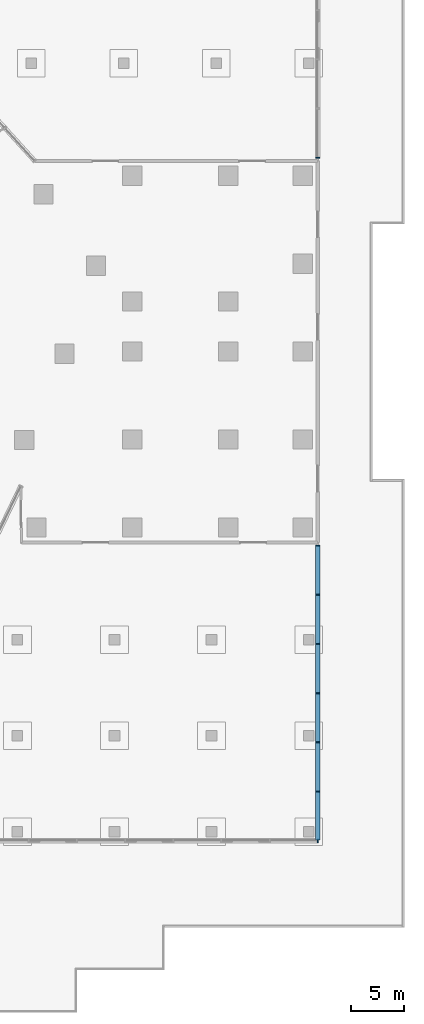
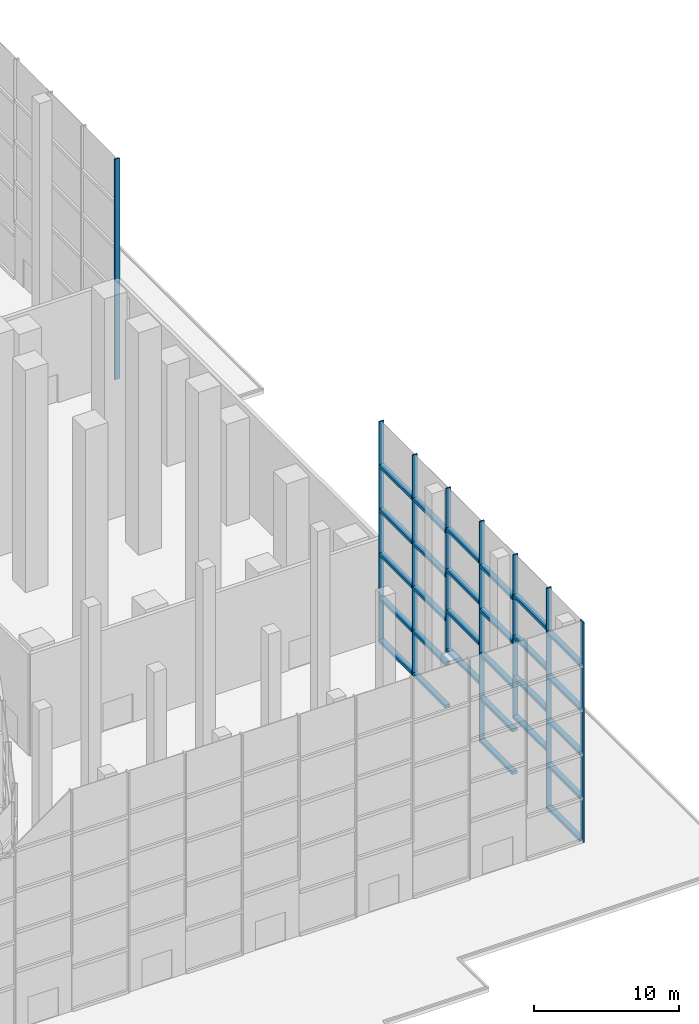
# One storey, part 19 of 40: 36 members, 7 elements without a shape of their own.
"""IFC4 building model written with IfcOpenShell, lengths in metres."""

from ifc_helpers import new_model, si_unit, direction, frame, origin, origin_2d, place, context, subcontext, project, spatial, rectangle, extrude, material, layer, layer_set, material_profile, profile_set, type_object, element, aggregate, save


model = new_model("IFC4")

# Units and contexts
model_context = context("Model", 3, precision=1e-05, world=origin(), true_north=direction((0.0, 1.0)))
body_context = subcontext(model_context, "Body", "Model", "MODEL_VIEW")
ifc_project = project(units=[si_unit("LENGTHUNIT", "METRE"), si_unit("AREAUNIT", "SQUARE_METRE"), si_unit("VOLUMEUNIT", "CUBIC_METRE"), si_unit("PLANEANGLEUNIT", "RADIAN"), si_unit("MASSUNIT", "GRAM", prefix="KILO")], contexts=[model_context])

# Site, building, storey
site_placement = place(None, origin())
site = spatial("IfcSite", under=ifc_project, at=site_placement, CompositionType="ELEMENT")
building_placement = place(site_placement, origin())
building = spatial("IfcBuilding", under=site, at=building_placement, Name="Dongbaek Canopy Tower", CompositionType="ELEMENT")
storey_placement = place(building_placement, origin())
storey = spatial("IfcBuildingStorey", under=building, at=storey_placement, Name="L00", CompositionType="ELEMENT", Elevation=0.0)

# Curtain wall, member
ifc_material_1 = material(Name="Aluminium 6063-T6 pale anodised", Category="aluminium")
ifc_layer = layer(ifc_material_1, 0.39990234375)
ifc_layer_set = layer_set([ifc_layer], Name="CW-3 lobby double-height curtain wall")
curtain_wall_type = type_object("IfcCurtainWallType", Name="CW-3 lobby double-height curtain wall", PredefinedType="NOTDEFINED", material=ifc_layer_set)
curtain_wall_1_placement = place(storey_placement, origin())
curtain_wall_1 = element("IfcCurtainWall", 1, at=curtain_wall_1_placement, inside=storey, type_object=curtain_wall_type, Name="CW-3 curtain wall HNE.1", PredefinedType="NOTDEFINED")
ifc_material_2 = material(Name="Aluminium 6063-T6 pale anodised", Category="aluminium")
ifc_material_profile_1 = material_profile(ifc_material_2, rectangle(XDim=0.39990234375, YDim=0.10009765625, at=origin_2d()), Name="CW-3 mullion 100 x 400")
ifc_profile_set_1 = profile_set([ifc_material_profile_1], Name="Aluminium 6063-T6 pale anodised")
member_type_1 = type_object("IfcMemberType", Name="CW-3 mullion 100 x 400", PredefinedType="MULLION", material=ifc_profile_set_1)
member_1_placement = place(storey_placement, frame((57.89990234375, 18.199951171875, 0.0), z_axis=(0.0, 0.0, 1.0), x_axis=(1.0, 0.0, 0.0)))
member_1 = element("IfcMember", 2, at=member_1_placement, type_object=member_type_1, Name="CW-3 mullion HNE.1.1", PredefinedType="MULLION", context=body_context, shape_type="SweptSolid", body=[
    extrude(rectangle(XDim=0.39990234375, YDim=0.10009765625, at=origin_2d()), origin(), (0.0, 0.0, 1.0), 18.550048828125),
])
aggregate(curtain_wall_1, [member_1])

curtain_wall_2_placement = place(storey_placement, origin())
curtain_wall_2 = element("IfcCurtainWall", 3, at=curtain_wall_2_placement, inside=storey, type_object=curtain_wall_type, Name="CW-3 curtain wall HSS.6", PredefinedType="NOTDEFINED")
member_2_placement = place(storey_placement, frame((57.89990234375, -45.89990234375, 0.0), z_axis=(0.0, 0.0, 1.0), x_axis=(0.0, -1.0, 0.0)))
member_2 = element("IfcMember", 4, at=member_2_placement, type_object=member_type_1, Name="CW-3 mullion HSS.6.2", PredefinedType="MULLION", context=body_context, shape_type="SweptSolid", body=[
    extrude(rectangle(XDim=0.39990234375, YDim=0.10009765625, at=origin_2d()), origin(), (0.0, 0.0, 1.0), 18.550048828125),
])
aggregate(curtain_wall_2, [member_2])

curtain_wall_3_placement = place(storey_placement, origin())
curtain_wall_3 = element("IfcCurtainWall", 5, at=curtain_wall_3_placement, inside=storey, type_object=curtain_wall_type, Name="CW-3 curtain wall HSE.1", PredefinedType="NOTDEFINED")
member_3_placement = place(storey_placement, frame((57.89990234375, -41.283447265625, 0.0), z_axis=(0.0, 0.0, 1.0), x_axis=(1.0, 0.0, 0.0)))
member_3 = element("IfcMember", 6, at=member_3_placement, type_object=member_type_1, Name="CW-3 mullion HSE.1.2", PredefinedType="MULLION", context=body_context, shape_type="SweptSolid", body=[
    extrude(rectangle(XDim=0.39990234375, YDim=0.10009765625, at=origin_2d()), origin(), (0.0, 0.0, 1.0), 18.550048828125),
])

curtain_wall_4_placement = place(storey_placement, origin())
curtain_wall_4 = element("IfcCurtainWall", 7, at=curtain_wall_4_placement, inside=storey, type_object=curtain_wall_type, Name="CW-3 curtain wall HSE.2U", PredefinedType="NOTDEFINED")
member_4_placement = place(storey_placement, frame((57.89990234375, -36.666748046875, 4.800048828125), z_axis=(0.0, 0.0, 1.0), x_axis=(1.0, 0.0, 0.0)))
member_4 = element("IfcMember", 8, at=member_4_placement, type_object=member_type_1, Name="CW-3 mullion HSE.2U.2", PredefinedType="MULLION", context=body_context, shape_type="SweptSolid", body=[
    extrude(rectangle(XDim=0.39990234375, YDim=0.10009765625, at=origin_2d()), origin(), (0.0, 0.0, 1.0), 13.75),
])

curtain_wall_5_placement = place(storey_placement, origin())
curtain_wall_5 = element("IfcCurtainWall", 9, at=curtain_wall_5_placement, inside=storey, type_object=curtain_wall_type, Name="CW-3 curtain wall HSE.2", PredefinedType="NOTDEFINED")
member_5_placement = place(storey_placement, frame((57.89990234375, -32.050048828125, 0.0), z_axis=(0.0, 0.0, 1.0), x_axis=(1.0, 0.0, 0.0)))
member_5 = element("IfcMember", 10, at=member_5_placement, type_object=member_type_1, Name="CW-3 mullion HSE.2.2", PredefinedType="MULLION", context=body_context, shape_type="SweptSolid", body=[
    extrude(rectangle(XDim=0.39990234375, YDim=0.10009765625, at=origin_2d()), origin(), (0.0, 0.0, 1.0), 18.550048828125),
])

curtain_wall_6_placement = place(storey_placement, origin())
curtain_wall_6 = element("IfcCurtainWall", 11, at=curtain_wall_6_placement, inside=storey, type_object=curtain_wall_type, Name="CW-3 curtain wall HSE.4U", PredefinedType="NOTDEFINED")
member_6_placement = place(storey_placement, frame((57.89990234375, -27.433349609375, 4.800048828125), z_axis=(0.0, 0.0, 1.0), x_axis=(1.0, 0.0, 0.0)))
member_6 = element("IfcMember", 12, at=member_6_placement, type_object=member_type_1, Name="CW-3 mullion HSE.4U.2", PredefinedType="MULLION", context=body_context, shape_type="SweptSolid", body=[
    extrude(rectangle(XDim=0.39990234375, YDim=0.10009765625, at=origin_2d()), origin(), (0.0, 0.0, 1.0), 13.75),
])

# Curtain wall, members
curtain_wall_7_placement = place(storey_placement, origin())
curtain_wall_7 = element("IfcCurtainWall", 13, at=curtain_wall_7_placement, inside=storey, type_object=curtain_wall_type, Name="CW-3 curtain wall HSE.3", PredefinedType="NOTDEFINED")
member_7_placement = place(storey_placement, frame((57.89990234375, -22.816650390625, 0.0), z_axis=(0.0, 0.0, 1.0), x_axis=(1.0, 0.0, 0.0)))
member_7 = element("IfcMember", 14, at=member_7_placement, type_object=member_type_1, Name="CW-3 mullion HSE.3.2", PredefinedType="MULLION", context=body_context, shape_type="SweptSolid", body=[
    extrude(rectangle(XDim=0.39990234375, YDim=0.10009765625, at=origin_2d()), origin(), (0.0, 0.0, 1.0), 18.550048828125),
])
member_8_placement = place(storey_placement, frame((57.89990234375, -18.199951171875, 0.0), z_axis=(0.0, 0.0, 1.0), x_axis=(1.0, 0.0, 0.0)))
member_8 = element("IfcMember", 15, at=member_8_placement, type_object=member_type_1, Name="CW-3 mullion HSE.3.3", PredefinedType="MULLION", context=body_context, shape_type="SweptSolid", body=[
    extrude(rectangle(XDim=0.39990234375, YDim=0.10009765625, at=origin_2d()), origin(), (0.0, 0.0, 1.0), 18.550048828125),
])

# Member
ifc_material_3 = material(Name="Aluminium 6063-T6 pale anodised", Category="aluminium")
ifc_material_profile_2 = material_profile(ifc_material_3, rectangle(XDim=0.39990234375, YDim=0.25, at=origin_2d()), Name="CW-3 transom 250 x 400")
ifc_profile_set_2 = profile_set([ifc_material_profile_2], Name="Aluminium 6063-T6 pale anodised")
member_type_2 = type_object("IfcMemberType", Name="CW-3 transom 250 x 400", PredefinedType="USERDEFINED", material=ifc_profile_set_2)
member_9_placement = place(storey_placement, frame((57.89990234375, -45.837890625, 0.125), z_axis=(0.0, 1.0, 0.0), x_axis=(-1.0, 0.0, 0.0)))
member_9 = element("IfcMember", 16, at=member_9_placement, type_object=member_type_2, Name="CW-3 transom HSE.1.1.1", ObjectType="TRANSOM", PredefinedType="USERDEFINED", context=body_context, shape_type="SweptSolid", body=[
    extrude(rectangle(XDim=0.39990234375, YDim=0.25, at=origin_2d()), origin(), (0.0, 0.0, 1.0), 4.49267578125),
])

member_10_placement = place(storey_placement, frame((57.89990234375, -45.837890625, 3.7099609375), z_axis=(0.0, 1.0, 0.0), x_axis=(-1.0, 0.0, 0.0)))
member_10 = element("IfcMember", 17, at=member_10_placement, type_object=member_type_2, Name="CW-3 transom HSE.1.1.2", ObjectType="TRANSOM", PredefinedType="USERDEFINED", context=body_context, shape_type="SweptSolid", body=[
    extrude(rectangle(XDim=0.39990234375, YDim=0.25, at=origin_2d()), origin(), (0.0, 0.0, 1.0), 4.49267578125),
])

member_11_placement = place(storey_placement, frame((57.89990234375, -45.837890625, 7.419921875), z_axis=(0.0, 1.0, 0.0), x_axis=(-1.0, 0.0, 0.0)))
member_11 = element("IfcMember", 18, at=member_11_placement, type_object=member_type_2, Name="CW-3 transom HSE.1.1.3", ObjectType="TRANSOM", PredefinedType="USERDEFINED", context=body_context, shape_type="SweptSolid", body=[
    extrude(rectangle(XDim=0.39990234375, YDim=0.25, at=origin_2d()), origin(), (0.0, 0.0, 1.0), 4.49267578125),
])

member_12_placement = place(storey_placement, frame((57.89990234375, -45.837890625, 11.1298828125), z_axis=(0.0, 1.0, 0.0), x_axis=(-1.0, 0.0, 0.0)))
member_12 = element("IfcMember", 19, at=member_12_placement, type_object=member_type_2, Name="CW-3 transom HSE.1.1.4", ObjectType="TRANSOM", PredefinedType="USERDEFINED", context=body_context, shape_type="SweptSolid", body=[
    extrude(rectangle(XDim=0.39990234375, YDim=0.25, at=origin_2d()), origin(), (0.0, 0.0, 1.0), 4.49267578125),
])

member_13_placement = place(storey_placement, frame((57.89990234375, -45.837890625, 14.840087890625), z_axis=(0.0, 1.0, 0.0), x_axis=(-1.0, 0.0, 0.0)))
member_13 = element("IfcMember", 20, at=member_13_placement, type_object=member_type_2, Name="CW-3 transom HSE.1.1.5", ObjectType="TRANSOM", PredefinedType="USERDEFINED", context=body_context, shape_type="SweptSolid", body=[
    extrude(rectangle(XDim=0.39990234375, YDim=0.25, at=origin_2d()), origin(), (0.0, 0.0, 1.0), 4.49267578125),
])

aggregate(curtain_wall_3, [member_3, member_9, member_10, member_11, member_12, member_13])

member_14_placement = place(storey_placement, frame((57.89990234375, -41.221435546875, 4.925048828125), z_axis=(0.0, 1.0, 0.0), x_axis=(-1.0, 0.0, 0.0)))
member_14 = element("IfcMember", 21, at=member_14_placement, type_object=member_type_2, Name="CW-3 transom HSE.2U.1.1", ObjectType="TRANSOM", PredefinedType="USERDEFINED", context=body_context, shape_type="SweptSolid", body=[
    extrude(rectangle(XDim=0.39990234375, YDim=0.25, at=origin_2d()), origin(), (0.0, 0.0, 1.0), 4.49267578125),
])

member_15_placement = place(storey_placement, frame((57.89990234375, -41.221435546875, 8.237548828125), z_axis=(0.0, 1.0, 0.0), x_axis=(-1.0, 0.0, 0.0)))
member_15 = element("IfcMember", 22, at=member_15_placement, type_object=member_type_2, Name="CW-3 transom HSE.2U.1.2", ObjectType="TRANSOM", PredefinedType="USERDEFINED", context=body_context, shape_type="SweptSolid", body=[
    extrude(rectangle(XDim=0.39990234375, YDim=0.25, at=origin_2d()), origin(), (0.0, 0.0, 1.0), 4.49267578125),
])

member_16_placement = place(storey_placement, frame((57.89990234375, -41.221435546875, 11.675048828125), z_axis=(0.0, 1.0, 0.0), x_axis=(-1.0, 0.0, 0.0)))
member_16 = element("IfcMember", 23, at=member_16_placement, type_object=member_type_2, Name="CW-3 transom HSE.2U.1.3", ObjectType="TRANSOM", PredefinedType="USERDEFINED", context=body_context, shape_type="SweptSolid", body=[
    extrude(rectangle(XDim=0.39990234375, YDim=0.25, at=origin_2d()), origin(), (0.0, 0.0, 1.0), 4.49267578125),
])

member_17_placement = place(storey_placement, frame((57.89990234375, -41.221435546875, 15.112548828125), z_axis=(0.0, 1.0, 0.0), x_axis=(-1.0, 0.0, 0.0)))
member_17 = element("IfcMember", 24, at=member_17_placement, type_object=member_type_2, Name="CW-3 transom HSE.2U.1.4", ObjectType="TRANSOM", PredefinedType="USERDEFINED", context=body_context, shape_type="SweptSolid", body=[
    extrude(rectangle(XDim=0.39990234375, YDim=0.25, at=origin_2d()), origin(), (0.0, 0.0, 1.0), 4.49267578125),
])

aggregate(curtain_wall_4, [member_4, member_14, member_15, member_16, member_17])

member_18_placement = place(storey_placement, frame((57.89990234375, -36.604736328125, 0.125), z_axis=(0.0, 1.0, 0.0), x_axis=(-1.0, 0.0, 0.0)))
member_18 = element("IfcMember", 25, at=member_18_placement, type_object=member_type_2, Name="CW-3 transom HSE.2.1.1", ObjectType="TRANSOM", PredefinedType="USERDEFINED", context=body_context, shape_type="SweptSolid", body=[
    extrude(rectangle(XDim=0.39990234375, YDim=0.25, at=origin_2d()), origin(), (0.0, 0.0, 1.0), 4.49267578125),
])

member_19_placement = place(storey_placement, frame((57.89990234375, -36.604736328125, 3.7099609375), z_axis=(0.0, 1.0, 0.0), x_axis=(-1.0, 0.0, 0.0)))
member_19 = element("IfcMember", 26, at=member_19_placement, type_object=member_type_2, Name="CW-3 transom HSE.2.1.2", ObjectType="TRANSOM", PredefinedType="USERDEFINED", context=body_context, shape_type="SweptSolid", body=[
    extrude(rectangle(XDim=0.39990234375, YDim=0.25, at=origin_2d()), origin(), (0.0, 0.0, 1.0), 4.49267578125),
])

member_20_placement = place(storey_placement, frame((57.89990234375, -36.604736328125, 7.419921875), z_axis=(0.0, 1.0, 0.0), x_axis=(-1.0, 0.0, 0.0)))
member_20 = element("IfcMember", 27, at=member_20_placement, type_object=member_type_2, Name="CW-3 transom HSE.2.1.3", ObjectType="TRANSOM", PredefinedType="USERDEFINED", context=body_context, shape_type="SweptSolid", body=[
    extrude(rectangle(XDim=0.39990234375, YDim=0.25, at=origin_2d()), origin(), (0.0, 0.0, 1.0), 4.49267578125),
])

member_21_placement = place(storey_placement, frame((57.89990234375, -36.604736328125, 11.1298828125), z_axis=(0.0, 1.0, 0.0), x_axis=(-1.0, 0.0, 0.0)))
member_21 = element("IfcMember", 28, at=member_21_placement, type_object=member_type_2, Name="CW-3 transom HSE.2.1.4", ObjectType="TRANSOM", PredefinedType="USERDEFINED", context=body_context, shape_type="SweptSolid", body=[
    extrude(rectangle(XDim=0.39990234375, YDim=0.25, at=origin_2d()), origin(), (0.0, 0.0, 1.0), 4.49267578125),
])

member_22_placement = place(storey_placement, frame((57.89990234375, -36.604736328125, 14.840087890625), z_axis=(0.0, 1.0, 0.0), x_axis=(-1.0, 0.0, 0.0)))
member_22 = element("IfcMember", 29, at=member_22_placement, type_object=member_type_2, Name="CW-3 transom HSE.2.1.5", ObjectType="TRANSOM", PredefinedType="USERDEFINED", context=body_context, shape_type="SweptSolid", body=[
    extrude(rectangle(XDim=0.39990234375, YDim=0.25, at=origin_2d()), origin(), (0.0, 0.0, 1.0), 4.49267578125),
])

aggregate(curtain_wall_5, [member_5, member_18, member_19, member_20, member_21, member_22])

member_23_placement = place(storey_placement, frame((57.89990234375, -31.988037109375, 4.925048828125), z_axis=(0.0, 1.0, 0.0), x_axis=(-1.0, 0.0, 0.0)))
member_23 = element("IfcMember", 30, at=member_23_placement, type_object=member_type_2, Name="CW-3 transom HSE.4U.1.1", ObjectType="TRANSOM", PredefinedType="USERDEFINED", context=body_context, shape_type="SweptSolid", body=[
    extrude(rectangle(XDim=0.39990234375, YDim=0.25, at=origin_2d()), origin(), (0.0, 0.0, 1.0), 4.49267578125),
])

member_24_placement = place(storey_placement, frame((57.89990234375, -31.988037109375, 8.237548828125), z_axis=(0.0, 1.0, 0.0), x_axis=(-1.0, 0.0, 0.0)))
member_24 = element("IfcMember", 31, at=member_24_placement, type_object=member_type_2, Name="CW-3 transom HSE.4U.1.2", ObjectType="TRANSOM", PredefinedType="USERDEFINED", context=body_context, shape_type="SweptSolid", body=[
    extrude(rectangle(XDim=0.39990234375, YDim=0.25, at=origin_2d()), origin(), (0.0, 0.0, 1.0), 4.49267578125),
])

member_25_placement = place(storey_placement, frame((57.89990234375, -31.988037109375, 11.675048828125), z_axis=(0.0, 1.0, 0.0), x_axis=(-1.0, 0.0, 0.0)))
member_25 = element("IfcMember", 32, at=member_25_placement, type_object=member_type_2, Name="CW-3 transom HSE.4U.1.3", ObjectType="TRANSOM", PredefinedType="USERDEFINED", context=body_context, shape_type="SweptSolid", body=[
    extrude(rectangle(XDim=0.39990234375, YDim=0.25, at=origin_2d()), origin(), (0.0, 0.0, 1.0), 4.49267578125),
])

member_26_placement = place(storey_placement, frame((57.89990234375, -31.988037109375, 15.112548828125), z_axis=(0.0, 1.0, 0.0), x_axis=(-1.0, 0.0, 0.0)))
member_26 = element("IfcMember", 33, at=member_26_placement, type_object=member_type_2, Name="CW-3 transom HSE.4U.1.4", ObjectType="TRANSOM", PredefinedType="USERDEFINED", context=body_context, shape_type="SweptSolid", body=[
    extrude(rectangle(XDim=0.39990234375, YDim=0.25, at=origin_2d()), origin(), (0.0, 0.0, 1.0), 4.49267578125),
])

aggregate(curtain_wall_6, [member_6, member_23, member_24, member_25, member_26])

member_27_placement = place(storey_placement, frame((57.89990234375, -27.371337890625, 0.125), z_axis=(0.0, 1.0, 0.0), x_axis=(-1.0, 0.0, 0.0)))
member_27 = element("IfcMember", 34, at=member_27_placement, type_object=member_type_2, Name="CW-3 transom HSE.3.1.1", ObjectType="TRANSOM", PredefinedType="USERDEFINED", context=body_context, shape_type="SweptSolid", body=[
    extrude(rectangle(XDim=0.39990234375, YDim=0.25, at=origin_2d()), origin(), (0.0, 0.0, 1.0), 4.49267578125),
])

member_28_placement = place(storey_placement, frame((57.89990234375, -27.371337890625, 3.7099609375), z_axis=(0.0, 1.0, 0.0), x_axis=(-1.0, 0.0, 0.0)))
member_28 = element("IfcMember", 35, at=member_28_placement, type_object=member_type_2, Name="CW-3 transom HSE.3.1.2", ObjectType="TRANSOM", PredefinedType="USERDEFINED", context=body_context, shape_type="SweptSolid", body=[
    extrude(rectangle(XDim=0.39990234375, YDim=0.25, at=origin_2d()), origin(), (0.0, 0.0, 1.0), 4.49267578125),
])

member_29_placement = place(storey_placement, frame((57.89990234375, -27.371337890625, 7.419921875), z_axis=(0.0, 1.0, 0.0), x_axis=(-1.0, 0.0, 0.0)))
member_29 = element("IfcMember", 36, at=member_29_placement, type_object=member_type_2, Name="CW-3 transom HSE.3.1.3", ObjectType="TRANSOM", PredefinedType="USERDEFINED", context=body_context, shape_type="SweptSolid", body=[
    extrude(rectangle(XDim=0.39990234375, YDim=0.25, at=origin_2d()), origin(), (0.0, 0.0, 1.0), 4.49267578125),
])

member_30_placement = place(storey_placement, frame((57.89990234375, -27.371337890625, 11.1298828125), z_axis=(0.0, 1.0, 0.0), x_axis=(-1.0, 0.0, 0.0)))
member_30 = element("IfcMember", 37, at=member_30_placement, type_object=member_type_2, Name="CW-3 transom HSE.3.1.4", ObjectType="TRANSOM", PredefinedType="USERDEFINED", context=body_context, shape_type="SweptSolid", body=[
    extrude(rectangle(XDim=0.39990234375, YDim=0.25, at=origin_2d()), origin(), (0.0, 0.0, 1.0), 4.49267578125),
])

member_31_placement = place(storey_placement, frame((57.89990234375, -27.371337890625, 14.840087890625), z_axis=(0.0, 1.0, 0.0), x_axis=(-1.0, 0.0, 0.0)))
member_31 = element("IfcMember", 38, at=member_31_placement, type_object=member_type_2, Name="CW-3 transom HSE.3.1.5", ObjectType="TRANSOM", PredefinedType="USERDEFINED", context=body_context, shape_type="SweptSolid", body=[
    extrude(rectangle(XDim=0.39990234375, YDim=0.25, at=origin_2d()), origin(), (0.0, 0.0, 1.0), 4.49267578125),
])

member_32_placement = place(storey_placement, frame((57.89990234375, -22.754638671875, 0.125), z_axis=(0.0, 1.0, 0.0), x_axis=(-1.0, 0.0, 0.0)))
member_32 = element("IfcMember", 39, at=member_32_placement, type_object=member_type_2, Name="CW-3 transom HSE.3.2.1", ObjectType="TRANSOM", PredefinedType="USERDEFINED", context=body_context, shape_type="SweptSolid", body=[
    extrude(rectangle(XDim=0.39990234375, YDim=0.25, at=origin_2d()), origin(), (0.0, 0.0, 1.0), 4.49267578125),
])

member_33_placement = place(storey_placement, frame((57.89990234375, -22.754638671875, 3.7099609375), z_axis=(0.0, 1.0, 0.0), x_axis=(-1.0, 0.0, 0.0)))
member_33 = element("IfcMember", 40, at=member_33_placement, type_object=member_type_2, Name="CW-3 transom HSE.3.2.2", ObjectType="TRANSOM", PredefinedType="USERDEFINED", context=body_context, shape_type="SweptSolid", body=[
    extrude(rectangle(XDim=0.39990234375, YDim=0.25, at=origin_2d()), origin(), (0.0, 0.0, 1.0), 4.49267578125),
])

member_34_placement = place(storey_placement, frame((57.89990234375, -22.754638671875, 7.419921875), z_axis=(0.0, 1.0, 0.0), x_axis=(-1.0, 0.0, 0.0)))
member_34 = element("IfcMember", 41, at=member_34_placement, type_object=member_type_2, Name="CW-3 transom HSE.3.2.3", ObjectType="TRANSOM", PredefinedType="USERDEFINED", context=body_context, shape_type="SweptSolid", body=[
    extrude(rectangle(XDim=0.39990234375, YDim=0.25, at=origin_2d()), origin(), (0.0, 0.0, 1.0), 4.49267578125),
])

member_35_placement = place(storey_placement, frame((57.89990234375, -22.754638671875, 11.1298828125), z_axis=(0.0, 1.0, 0.0), x_axis=(-1.0, 0.0, 0.0)))
member_35 = element("IfcMember", 42, at=member_35_placement, type_object=member_type_2, Name="CW-3 transom HSE.3.2.4", ObjectType="TRANSOM", PredefinedType="USERDEFINED", context=body_context, shape_type="SweptSolid", body=[
    extrude(rectangle(XDim=0.39990234375, YDim=0.25, at=origin_2d()), origin(), (0.0, 0.0, 1.0), 4.49267578125),
])

member_36_placement = place(storey_placement, frame((57.89990234375, -22.754638671875, 14.840087890625), z_axis=(0.0, 1.0, 0.0), x_axis=(-1.0, 0.0, 0.0)))
member_36 = element("IfcMember", 43, at=member_36_placement, type_object=member_type_2, Name="CW-3 transom HSE.3.2.5", ObjectType="TRANSOM", PredefinedType="USERDEFINED", context=body_context, shape_type="SweptSolid", body=[
    extrude(rectangle(XDim=0.39990234375, YDim=0.25, at=origin_2d()), origin(), (0.0, 0.0, 1.0), 4.49267578125),
])

aggregate(curtain_wall_7, [member_7, member_8, member_27, member_28, member_29, member_30, member_31, member_32, member_33, member_34, member_35, member_36])

save(model, "model.ifc")
